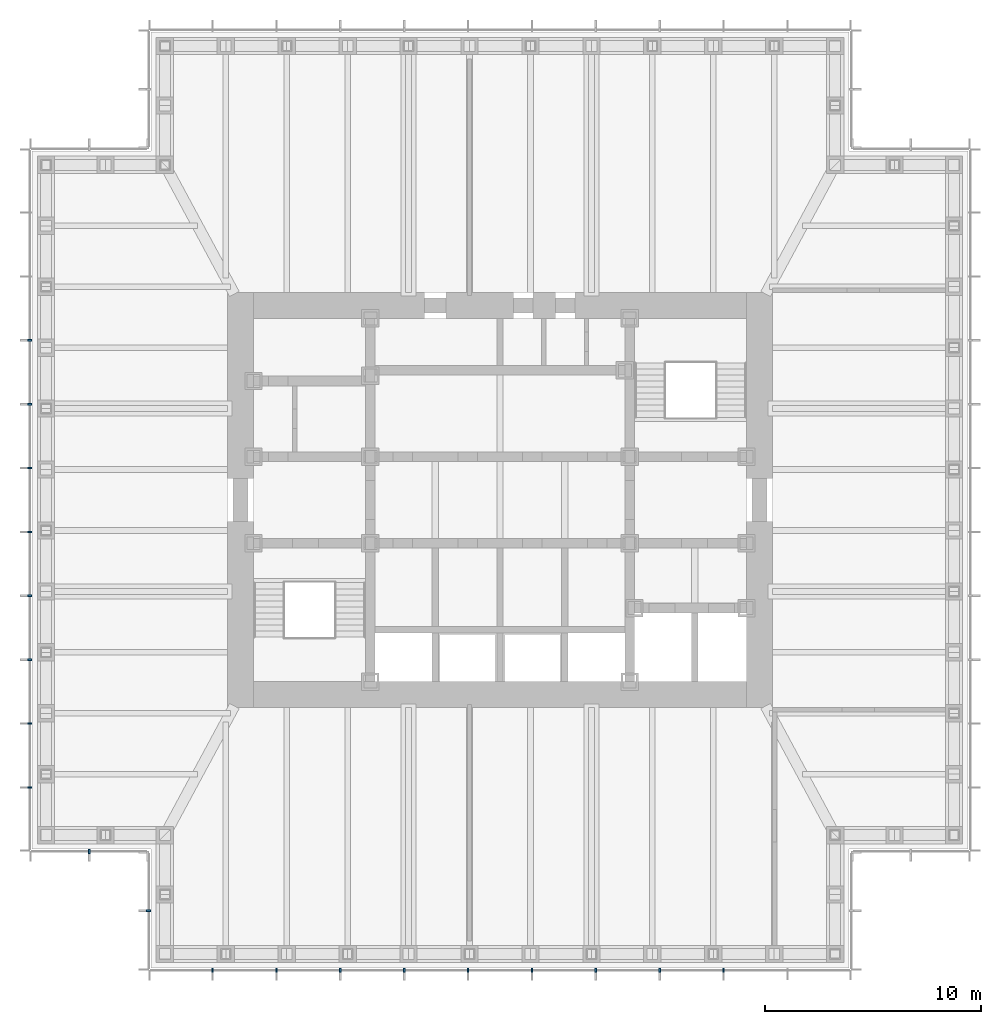
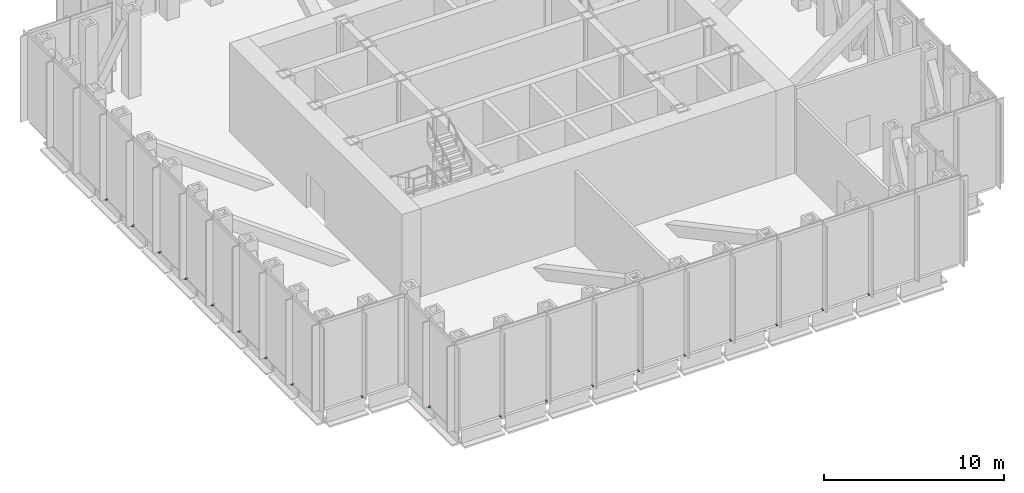
# One storey, part 9 of 12: 19 discrete accessories.
"""IFC4 building model written with IfcOpenShell, lengths in metres."""

from ifc_helpers import new_model, si_unit, direction, frame, origin, origin_2d, place, context, subcontext, project, spatial, rectangle, extrude, element, save


model = new_model("IFC4")

# Units and contexts
model_context = context("Model", 3, precision=1e-05, world=origin(), true_north=direction((0.0, 1.0)))
body_context = subcontext(model_context, "Body", "Model", "MODEL_VIEW")
ifc_project = project(units=[si_unit("LENGTHUNIT", "METRE"), si_unit("AREAUNIT", "SQUARE_METRE"), si_unit("VOLUMEUNIT", "CUBIC_METRE"), si_unit("PLANEANGLEUNIT", "RADIAN"), si_unit("MASSUNIT", "GRAM", prefix="KILO")], contexts=[model_context])

# Site, building, storey
site_placement = place(None, origin())
site = spatial("IfcSite", under=ifc_project, at=site_placement, CompositionType="ELEMENT")
building_placement = place(site_placement, origin())
building = spatial("IfcBuilding", under=site, at=building_placement, Name="Daluyong Arena Tower", CompositionType="ELEMENT")
storey_placement = place(building_placement, frame((0.0, 0.0, 244.300048828125)))
storey = spatial("IfcBuildingStorey", under=building, at=storey_placement, Name="L55", CompositionType="ELEMENT", Elevation=244.300048828125)

# Discrete accessories
for number, where, z_axis, x_axis, name in (
    (1, (42.70458984375, 58.25, -0.10009765625), (0.0, 0.0, 1.0), (1.0, 0.0, 0.0), "curtain wall L55 S anchor bracket 2"),
    (2, (45.6591796875, 58.25, -0.10009765625), (0.0, 0.0, 1.0), (1.0, 0.0, 0.0), "curtain wall L55 S anchor bracket 3"),
    (3, (48.613525390625, 58.25, -0.10009765625), (0.0, 0.0, 1.0), (1.0, 0.0, 0.0), "curtain wall L55 S anchor bracket 4"),
    (4, (51.568115234375, 58.25, -0.10009765625), (0.0, 0.0, 1.0), (1.0, 0.0, 0.0), "curtain wall L55 S anchor bracket 5"),
    (5, (54.522705078125, 58.25, -0.10009765625), (0.0, 0.0, 1.0), (1.0, 0.0, 0.0), "curtain wall L55 S anchor bracket 6"),
    (6, (57.477294921875, 58.25, -0.10009765625), (0.0, 0.0, 1.0), (1.0, 0.0, 0.0), "curtain wall L55 S anchor bracket 7"),
    (7, (60.431884765625, 58.25, -0.10009765625), (0.0, 0.0, 1.0), (1.0, 0.0, 0.0), "curtain wall L55 S anchor bracket 8"),
    (8, (63.386474609375, 58.25, -0.10009765625), (0.0, 0.0, 1.0), (1.0, 0.0, 0.0), "curtain wall L55 S anchor bracket 9"),
    (9, (66.3408203125, 58.25, -0.10009765625), (0.0, 0.0, 1.0), (1.0, 0.0, 0.0), "curtain wall L55 S anchor bracket 10"),
    (10, (34.25, 87.386474609375, -0.10009765625), (0.0, 0.0, 1.0), (0.0, -1.0, 0.0), "curtain wall L55 W anchor bracket 4"),
    (11, (34.25, 84.431884765625, -0.10009765625), (0.0, 0.0, 1.0), (0.0, -1.0, 0.0), "curtain wall L55 W anchor bracket 5"),
    (12, (34.25, 81.477294921875, -0.10009765625), (0.0, 0.0, 1.0), (0.0, -1.0, 0.0), "curtain wall L55 W anchor bracket 6"),
    (13, (34.25, 78.522705078125, -0.10009765625), (0.0, 0.0, 1.0), (0.0, -1.0, 0.0), "curtain wall L55 W anchor bracket 7"),
    (14, (34.25, 75.568115234375, -0.10009765625), (0.0, 0.0, 1.0), (0.0, -1.0, 0.0), "curtain wall L55 W anchor bracket 8"),
    (15, (34.25, 72.613525390625, -0.10009765625), (0.0, 0.0, 1.0), (0.0, -1.0, 0.0), "curtain wall L55 W anchor bracket 9"),
    (16, (34.25, 69.6591796875, -0.10009765625), (0.0, 0.0, 1.0), (0.0, -1.0, 0.0), "curtain wall L55 W anchor bracket 10"),
    (17, (34.25, 66.70458984375, -0.10009765625), (0.0, 0.0, 1.0), (0.0, -1.0, 0.0), "curtain wall L55 W anchor bracket 11"),
    (18, (37.0, 63.75, -0.10009765625), (0.0, 0.0, 1.0), (1.0, 0.0, 0.0), "curtain wall L55 SW-S anchor bracket 2"),
    (19, (39.75, 61.0, -0.10009765625), (0.0, 0.0, 1.0), (0.0, -1.0, 0.0), "curtain wall L55 SW-W anchor bracket 2"),
):
    element("IfcDiscreteAccessory", number, at=place(storey_placement, frame(where, z_axis=z_axis, x_axis=x_axis)), inside=storey, Name=name, PredefinedType="BRACKET", context=body_context, shape_type="SweptSolid", body=[
        extrude(rectangle(XDim=0.080078125, YDim=0.199951171875, at=origin_2d()), origin(), (0.0, 0.0, 1.0), 0.10009765625),
    ])

save(model, "model.ifc")
